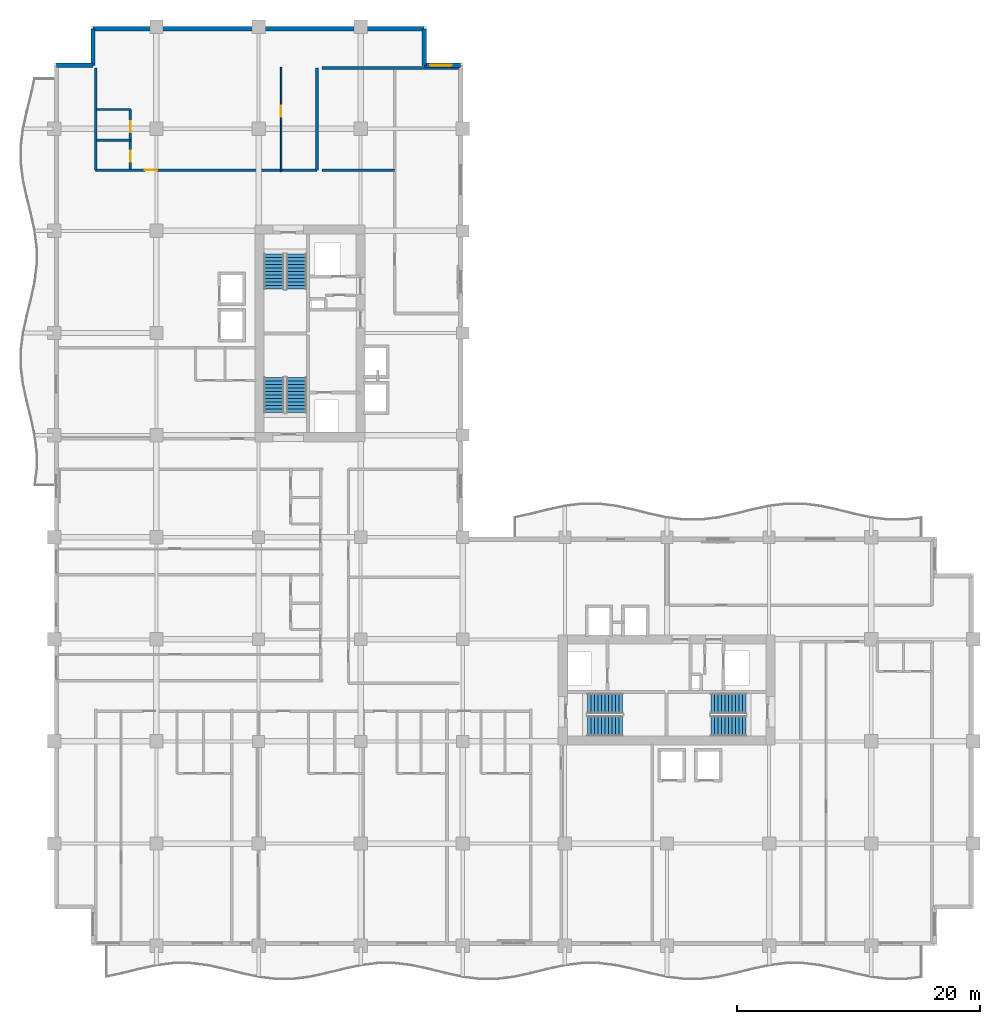
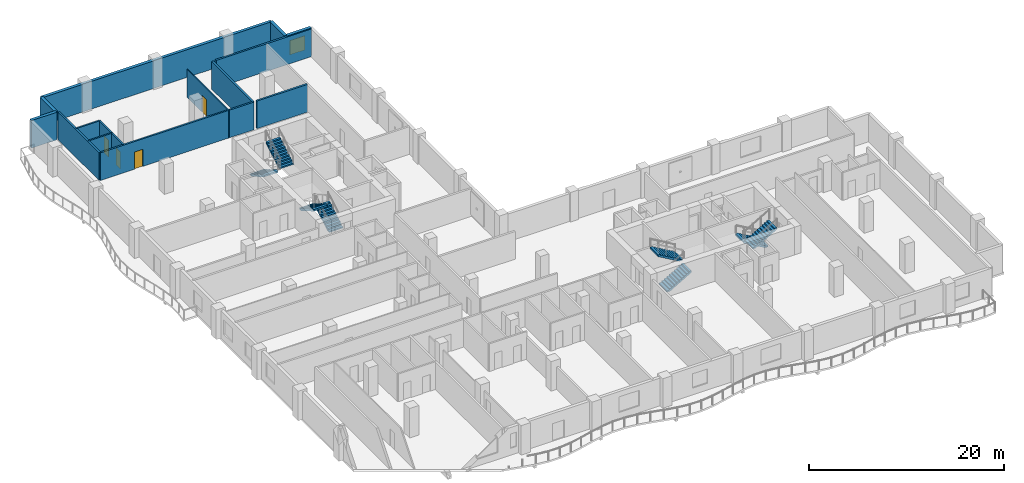
# One storey, part 10 of 16: 14 walls, 8 stair flights, 4 doors, 1 window, 5 openings, 4 elements without a shape of their own.
"""IFC4 building model written with IfcOpenShell, lengths in metres."""

from ifc_helpers import new_model, si_unit, direction, frame, frame_2d, origin, place, context, subcontext, project, spatial, polyline, rectangle, outline, extrude, material, layer, layer_set, type_object, element, fill, aggregate, save


model = new_model("IFC4")

# Units and contexts
model_context = context("Model", 3, precision=1e-05, world=origin(), true_north=direction((0.0, 1.0)))
body_context = subcontext(model_context, "Body", "Model", "MODEL_VIEW")
ifc_project = project(units=[si_unit("LENGTHUNIT", "METRE"), si_unit("AREAUNIT", "SQUARE_METRE"), si_unit("VOLUMEUNIT", "CUBIC_METRE"), si_unit("PLANEANGLEUNIT", "RADIAN"), si_unit("MASSUNIT", "GRAM", prefix="KILO")], contexts=[model_context])

# Site, building, storey
site_placement = place(None, origin())
site = spatial("IfcSite", under=ifc_project, at=site_placement, CompositionType="ELEMENT")
building_placement = place(site_placement, origin())
building = spatial("IfcBuilding", under=site, at=building_placement, Name="Koriwani Terraces Tower", CompositionType="ELEMENT")
storey_placement = place(building_placement, frame((0.0, 0.0, 186.5)))
storey = spatial("IfcBuildingStorey", under=building, at=storey_placement, Name="L45", CompositionType="ELEMENT", Elevation=186.5)

# Wall, opening, door
ifc_material_1 = material(Name="Autoclaved Cellular Concrete Blockwork", Category="masonry")
ifc_layer_1 = layer(ifc_material_1, 0.199951171875, Name="Autoclaved Cellular Concrete Blockwork")
ifc_layer_set_1 = layer_set([ifc_layer_1], Name="Autoclaved Cellular Concrete Blockwork")
wall_type_1 = type_object("IfcWallType", Name="WALL_CORRIDOR_200", PredefinedType="PARTITIONING", material=ifc_layer_set_1)
wall_1_placement = place(storey_placement, frame((3.39990234375, 63.800048828125, 0.0), z_axis=(0.0, 0.0, 1.0), x_axis=(1.0, 0.0, 0.0)))
wall_1 = element("IfcWall", 1, at=wall_1_placement, inside=storey, type_object=wall_type_1, Name="L45 Interior Wall WGB-L45-NWTIP-S", PredefinedType="PARTITIONING", context=body_context, shape_type="SweptSolid", body=[
    extrude(rectangle(XDim=18.2001953125, YDim=0.199951171875, at=frame_2d((9.10009765625, 0.0))), origin(), (0.0, 0.0, 1.0), 3.469970703125),
])
opening_1_placement = place(wall_1_placement, frame((4.050048828125, 0.0, 0.0)))
opening_1 = element("IfcOpeningElement", 2, at=opening_1_placement, cuts=wall_1, Name="Opening D-05", PredefinedType="OPENING", context=body_context, shape_type="SweptSolid", body=[
    extrude(rectangle(XDim=1.0, YDim=2.14990234375, at=frame_2d((0.5, 1.074951171875))), frame((0.0, 0.10986328125, 0.0), z_axis=(0.0, -1.0, 0.0), x_axis=(1.0, 0.0, 0.0)), (0.0, 0.0, 1.0), 0.219970703125),
])
ifc_material_2 = material(Name="Architectural Oak Fire Door", Category="wood")
door_type_1 = type_object("IfcDoorType", Name="DOOR_SUITE_ENTRY_1000X2150", OperationType="NOTDEFINED", PredefinedType="DOOR", material=ifc_material_2)
door_1_placement = place(opening_1_placement, origin())
door_1 = element("IfcDoor", 3, at=door_1_placement, inside=storey, type_object=door_type_1, Name="Grand Apartment 45NT Entrance Door", OperationType="SINGLE_SWING_LEFT", OverallHeight=2.14990234375, OverallWidth=1.0, PredefinedType="DOOR", context=body_context, shape_type="SweptSolid", body=[
    extrude(rectangle(XDim=1.0, YDim=2.14990234375, at=frame_2d((0.5, 1.074951171875))), frame((0.0, 0.02490234375, 0.0), z_axis=(0.0, -1.0, 0.0), x_axis=(1.0, 0.0, 0.0)), (0.0, 0.0, 1.0), 0.050048828125),
])
fill(opening_1, door_1)

# Walls
ifc_layer_2 = layer(ifc_material_1, 0.219970703125, Name="Autoclaved Cellular Concrete Blockwork")
ifc_layer_set_2 = layer_set([ifc_layer_2], Name="Autoclaved Cellular Concrete Blockwork")
wall_type_2 = type_object("IfcWallType", Name="WALL_DEMISING_220", PredefinedType="PARTITIONING", material=ifc_layer_set_2)
for number, where, z_axis, x_axis, name in (
    (4, (21.60009765625, 63.800048828125, 0.0), (0.0, 0.0, 1.0), (0.0, 1.0, 0.0), "L45 Interior Wall WGB-L45-NWTIP-E"),
    (5, (3.39990234375, 63.800048828125, 0.0), (0.0, 0.0, 1.0), (0.0, 1.0, 0.0), "L45 Interior Wall WGB-L45-NWTIP-W"),
):
    element("IfcWall", number, at=place(storey_placement, frame(where, z_axis=z_axis, x_axis=x_axis)), inside=storey, type_object=wall_type_2, Name=name, PredefinedType="PARTITIONING", context=body_context, shape_type="SweptSolid", body=[
        extrude(rectangle(XDim=8.39990234375, YDim=0.219970703125, at=frame_2d((4.199951171875, 0.0))), origin(), (0.0, 0.0, 1.0), 3.469970703125),
    ])
wall_2_placement = place(storey_placement, frame((22.0, 72.199951171875, 0.0), z_axis=(0.0, 0.0, 1.0), x_axis=(1.0, 0.0, 0.0)))
element("IfcWall", 6, at=wall_2_placement, inside=storey, type_object=wall_type_2, Name="L45 Interior Wall WNWT2-N-L45", PredefinedType="PARTITIONING", context=body_context, shape_type="SweptSolid", body=[
    extrude(rectangle(XDim=11.300048828125, YDim=0.219970703125, at=frame_2d((5.64990234375, 0.0))), origin(), (0.0, 0.0, 1.0), 3.469970703125),
])
wall_3_placement = place(storey_placement, frame((22.0, 63.800048828125, 0.0), z_axis=(0.0, 0.0, 1.0), x_axis=(1.0, 0.0, 0.0)))
element("IfcWall", 7, at=wall_3_placement, inside=storey, type_object=wall_type_2, Name="L45 Interior Wall WNWT2-WS-L45", PredefinedType="PARTITIONING", context=body_context, shape_type="SweptSolid", body=[
    extrude(rectangle(XDim=6.0, YDim=0.219970703125, at=frame_2d((3.0, 0.0))), origin(), (0.0, 0.0, 1.0), 3.469970703125),
])
ifc_material_3 = material(Name="Concrete C50/60", Category="concrete")
ifc_layer_3 = layer(ifc_material_3, 0.35009765625, Name="Concrete C50/60")
ifc_layer_set_3 = layer_set([ifc_layer_3], Name="Concrete C50/60")
wall_type_3 = type_object("IfcWallType", Name="WALL_EXT_BRUTALIST_350", PredefinedType="STANDARD", material=ifc_layer_set_3)
for number, where, z_axis, x_axis, name in (
    (8, (0.175048828125, 72.425048828125, 0.0), (0.0, 0.0, 1.0), (1.0, 0.0, 0.0), "L45 Fair-Faced Brutalist Exterior Wall (N3)"),
    (9, (3.175048828125, 72.425048828125, 0.0), (0.0, 0.0, 1.0), (0.0, 1.0, 0.0), "L45 Fair-Faced Brutalist Exterior Wall (N4)"),
):
    element("IfcWall", number, at=place(storey_placement, frame(where, z_axis=z_axis, x_axis=x_axis)), inside=storey, type_object=wall_type_3, Name=name, PredefinedType="STANDARD", context=body_context, shape_type="SweptSolid", body=[
        extrude(rectangle(XDim=3.0, YDim=0.35009765625, at=frame_2d((1.5, 0.0))), origin(), (0.0, 0.0, 1.0), 3.469970703125),
    ])
wall_4_placement = place(storey_placement, frame((3.175048828125, 75.425048828125, 0.0), z_axis=(0.0, 0.0, 1.0), x_axis=(1.0, 0.0, 0.0)))
element("IfcWall", 10, at=wall_4_placement, inside=storey, type_object=wall_type_3, Name="L45 Fair-Faced Brutalist Exterior Wall (N_TIP)", PredefinedType="STANDARD", context=body_context, shape_type="SweptSolid", body=[
    extrude(rectangle(XDim=27.25, YDim=0.35009765625, at=frame_2d((13.625, 0.0))), origin(), (0.0, 0.0, 1.0), 3.469970703125),
])
wall_5_placement = place(storey_placement, frame((30.425048828125, 75.425048828125, 0.0), z_axis=(0.0, 0.0, 1.0), x_axis=(0.0, -1.0, 0.0)))
element("IfcWall", 11, at=wall_5_placement, inside=storey, type_object=wall_type_3, Name="L45 Fair-Faced Brutalist Exterior Wall (N6)", PredefinedType="STANDARD", context=body_context, shape_type="SweptSolid", body=[
    extrude(rectangle(XDim=3.0, YDim=0.35009765625, at=frame_2d((1.5, 0.0))), origin(), (0.0, 0.0, 1.0), 3.469970703125),
])

# Wall, opening, window
wall_6_placement = place(storey_placement, frame((30.425048828125, 72.425048828125, 0.0), z_axis=(0.0, 0.0, 1.0), x_axis=(1.0, 0.0, 0.0)))
wall_6 = element("IfcWall", 12, at=wall_6_placement, inside=storey, type_object=wall_type_3, Name="L45 Fair-Faced Brutalist Exterior Wall (N7)", PredefinedType="STANDARD", context=body_context, shape_type="SweptSolid", body=[
    extrude(rectangle(XDim=3.0, YDim=0.35009765625, at=frame_2d((1.5, 0.0))), origin(), (0.0, 0.0, 1.0), 3.469970703125),
])
opening_2_placement = place(wall_6_placement, frame((0.487548828125, 0.0, 0.85009765625)))
opening_2 = element("IfcOpeningElement", 13, at=opening_2_placement, cuts=wall_6, Name="Opening W-04", PredefinedType="OPENING", context=body_context, shape_type="SweptSolid", body=[
    extrude(rectangle(XDim=1.800048828125, YDim=1.800048828125, at=frame_2d((0.89990234375, 0.89990234375))), frame((0.0, 0.18505859375, 0.0), z_axis=(0.0, -1.0, 0.0), x_axis=(1.0, 0.0, 0.0)), (0.0, 0.0, 1.0), 0.3701171875),
])
ifc_material_4 = material(Name="Tempered Laminated Low-E Glass", Category="glass")
window_type = type_object("IfcWindowType", Name="WIN_RES_BED_1800X1800", PartitioningType="DOUBLE_PANEL_VERTICAL", PredefinedType="WINDOW", material=ifc_material_4)
window_placement = place(opening_2_placement, origin())
window = element("IfcWindow", 14, at=window_placement, inside=storey, type_object=window_type, Name="L45 Exterior Window (N7-R57)", OverallHeight=1.800048828125, OverallWidth=1.800048828125, PartitioningType="SINGLE_PANEL", PredefinedType="WINDOW", context=body_context, shape_type="SweptSolid", body=[
    extrude(rectangle(XDim=1.800048828125, YDim=1.800048828125, at=frame_2d((0.89990234375, 0.89990234375))), frame((0.0, 0.030029296875, 0.0), z_axis=(0.0, -1.0, 0.0), x_axis=(1.0, 0.0, 0.0)), (0.0, 0.0, 1.0), 0.06005859375),
])
fill(opening_2, window)

# Wall, opening, door
ifc_material_5 = material(Name="Fire-Rated Acoustic Gypsum Partition", Category="masonry")
ifc_layer_4 = layer(ifc_material_5, 0.125, Name="Fire-Rated Acoustic Gypsum Partition")
ifc_layer_set_4 = layer_set([ifc_layer_4], Name="Fire-Rated Acoustic Gypsum Partition")
wall_type_4 = type_object("IfcWallType", Name="WALL_INT_125", PredefinedType="PARTITIONING", material=ifc_layer_set_4)
wall_7_placement = place(storey_placement, frame((18.64990234375, 63.64990234375, 0.0), z_axis=(0.0, 0.0, 1.0), x_axis=(0.0, 1.0, 0.0)))
wall_7 = element("IfcWall", 15, at=wall_7_placement, inside=storey, type_object=wall_type_4, Name="L45 Interior Wall WGB-L45-NWTIP-BD", PredefinedType="PARTITIONING", context=body_context, shape_type="SweptSolid", body=[
    extrude(rectangle(XDim=8.60009765625, YDim=0.125, at=frame_2d((4.300048828125, 0.0))), origin(), (0.0, 0.0, 1.0), 3.469970703125),
])
opening_3_placement = place(wall_7_placement, frame((4.530029296875, 0.0, 0.0)))
opening_3 = element("IfcOpeningElement", 16, at=opening_3_placement, cuts=wall_7, Name="Opening D-06", PredefinedType="OPENING", context=body_context, shape_type="SweptSolid", body=[
    extrude(rectangle(XDim=0.919921875, YDim=2.10009765625, at=frame_2d((0.4599609375, 1.050048828125))), frame((0.0, 0.072509765625, 0.0), z_axis=(0.0, -1.0, 0.0), x_axis=(1.0, 0.0, 0.0)), (0.0, 0.0, 1.0), 0.14501953125),
])
door_type_2 = type_object("IfcDoorType", Name="DOOR_ROOM_INT_920X2100", OperationType="NOTDEFINED", PredefinedType="DOOR", material=ifc_material_2)
door_2_placement = place(opening_3_placement, origin())
door_2 = element("IfcDoor", 17, at=door_2_placement, inside=storey, type_object=door_type_2, Name="Grand Apartment 45NT Master Suite Door", OperationType="SINGLE_SWING_RIGHT", OverallHeight=2.10009765625, OverallWidth=0.919921875, PredefinedType="DOOR", context=body_context, shape_type="SweptSolid", body=[
    extrude(rectangle(XDim=0.919921875, YDim=2.10009765625, at=frame_2d((0.4599609375, 1.050048828125))), frame((0.0, 0.02490234375, 0.0), z_axis=(0.0, -1.0, 0.0), x_axis=(1.0, 0.0, 0.0)), (0.0, 0.0, 1.0), 0.050048828125),
])
fill(opening_3, door_2)

# Wall, openings, doors
ifc_layer_5 = layer(ifc_material_5, 0.179931640625, Name="Fire-Rated Acoustic Gypsum Partition")
ifc_layer_set_5 = layer_set([ifc_layer_5], Name="Fire-Rated Acoustic Gypsum Partition")
wall_type_5 = type_object("IfcWallType", Name="WALL_PLUMBING_180", PredefinedType="PLUMBINGWALL", material=ifc_layer_set_5)
wall_8_placement = place(storey_placement, frame((6.25, 63.85009765625, 0.0), z_axis=(0.0, 0.0, 1.0), x_axis=(0.0, 1.0, 0.0)))
wall_8 = element("IfcWall", 18, at=wall_8_placement, inside=storey, type_object=wall_type_5, Name="L45 Interior Wall WGB-L45-NWTIP-SVB", PredefinedType="PLUMBINGWALL", context=body_context, shape_type="SweptSolid", body=[
    extrude(rectangle(XDim=4.949951171875, YDim=0.179931640625, at=frame_2d((2.47509765625, 0.0))), origin(), (0.0, 0.0, 1.0), 3.469970703125),
])
opening_4_placement = place(wall_8_placement, frame((0.64990234375, 0.0, 0.0)))
opening_4 = element("IfcOpeningElement", 19, at=opening_4_placement, cuts=wall_8, Name="Opening D-07", PredefinedType="OPENING", context=body_context, shape_type="SweptSolid", body=[
    extrude(rectangle(XDim=0.89990234375, YDim=2.10009765625, at=frame_2d((0.449951171875, 1.050048828125))), frame((0.0, 0.10009765625, 0.0), z_axis=(0.0, -1.0, 0.0), x_axis=(1.0, 0.0, 0.0)), (0.0, 0.0, 1.0), 0.199951171875),
])
opening_5_placement = place(wall_8_placement, frame((3.050048828125, 0.0, 0.0)))
opening_5 = element("IfcOpeningElement", 20, at=opening_5_placement, cuts=wall_8, Name="Opening D-06", PredefinedType="OPENING", context=body_context, shape_type="SweptSolid", body=[
    extrude(rectangle(XDim=0.919921875, YDim=2.10009765625, at=frame_2d((0.4599609375, 1.050048828125))), frame((0.0, 0.10009765625, 0.0), z_axis=(0.0, -1.0, 0.0), x_axis=(1.0, 0.0, 0.0)), (0.0, 0.0, 1.0), 0.199951171875),
])
door_type_3 = type_object("IfcDoorType", Name="DOOR_BATH_INT_900X2100", OperationType="NOTDEFINED", PredefinedType="DOOR", material=ifc_material_2)
door_3_placement = place(opening_4_placement, origin())
door_3 = element("IfcDoor", 21, at=door_3_placement, inside=storey, type_object=door_type_3, Name="Grand Apartment 45NT Bathroom Door", OperationType="SINGLE_SWING_RIGHT", OverallHeight=2.10009765625, OverallWidth=0.89990234375, PredefinedType="DOOR", context=body_context, shape_type="SweptSolid", body=[
    extrude(rectangle(XDim=0.89990234375, YDim=2.10009765625, at=frame_2d((0.449951171875, 1.050048828125))), frame((0.0, 0.02490234375, 0.0), z_axis=(0.0, -1.0, 0.0), x_axis=(1.0, 0.0, 0.0)), (0.0, 0.0, 1.0), 0.050048828125),
])
fill(opening_4, door_3)
door_4_placement = place(opening_5_placement, origin())
door_4 = element("IfcDoor", 22, at=door_4_placement, inside=storey, type_object=door_type_2, Name="Grand Apartment 45NT Kitchen Door", OperationType="SINGLE_SWING_LEFT", OverallHeight=2.10009765625, OverallWidth=0.919921875, PredefinedType="DOOR", context=body_context, shape_type="SweptSolid", body=[
    extrude(rectangle(XDim=0.919921875, YDim=2.10009765625, at=frame_2d((0.4599609375, 1.050048828125))), frame((0.0, 0.02490234375, 0.0), z_axis=(0.0, -1.0, 0.0), x_axis=(1.0, 0.0, 0.0)), (0.0, 0.0, 1.0), 0.050048828125),
])
fill(opening_5, door_4)

# Walls
for number, where, z_axis, x_axis, name in (
    (23, (3.449951171875, 66.25, 0.0), (0.0, 0.0, 1.0), (1.0, 0.0, 0.0), "L45 Interior Wall WGB-L45-NWTIP-SVM"),
    (24, (3.449951171875, 68.800048828125, 0.0), (0.0, 0.0, 1.0), (1.0, 0.0, 0.0), "L45 Interior Wall WGB-L45-NWTIP-SV2"),
):
    element("IfcWall", number, at=place(storey_placement, frame(where, z_axis=z_axis, x_axis=x_axis)), inside=storey, type_object=wall_type_5, Name=name, PredefinedType="PLUMBINGWALL", context=body_context, shape_type="SweptSolid", body=[
        extrude(rectangle(XDim=2.800048828125, YDim=0.179931640625, at=frame_2d((1.39990234375, 0.0))), origin(), (0.0, 0.0, 1.0), 3.469970703125),
    ])

# Stair, stair flights
ifc_material_6 = material(Name="Concrete C40/50", Category="concrete")
stair_type = type_object("IfcStairType", Name="STAIR_CORE_DOGLEG_1650", PredefinedType="TWO_STRAIGHT_RUN_STAIR", material=ifc_material_6)
stair_1_placement = place(storey_placement, origin())
stair_1 = element("IfcStair", 25, at=stair_1_placement, inside=storey, type_object=stair_type, Name="L45 West Core Exit Stair 1", PredefinedType="HALF_TURN_STAIR")
stair_flight_type = type_object("IfcStairFlightType", Name="STAIR_FLIGHT_RC_1650", PredefinedType="STRAIGHT", material=ifc_material_6)
stair_flight_1_placement = place(storey_placement, frame((19.925048828125, 43.85009765625, 0.0), z_axis=(0.0, 0.0, 1.0), x_axis=(0.0, 1.0, 0.0)))
stair_flight_1 = element("IfcStairFlight", 26, at=stair_flight_1_placement, type_object=stair_flight_type, Name="ST-W1 flight 1", NumberOfRisers=11, NumberOfTreads=10, PredefinedType="STRAIGHT", RiserHeight=0.168181818, TreadLength=0.29, context=body_context, shape_type="SweptSolid", body=[
    extrude(outline(polyline([(0.0, 0.0), (0.0, 0.168212890625), (0.2900390625, 0.168212890625), (0.2900390625, 0.33642578125), (0.580078125, 0.33642578125), (0.580078125, 0.504638671875), (0.8701171875, 0.504638671875), (0.8701171875, 0.672607421875), (1.159912109375, 0.672607421875), (1.159912109375, 0.8408203125), (1.449951171875, 0.8408203125), (1.449951171875, 1.009033203125), (1.739990234375, 1.009033203125), (1.739990234375, 1.17724609375), (2.030029296875, 1.17724609375), (2.030029296875, 1.345458984375), (2.320068359375, 1.345458984375), (2.320068359375, 1.513671875), (2.610107421875, 1.513671875), (2.610107421875, 1.681884765625), (2.89990234375, 1.681884765625), (2.89990234375, 1.85009765625), (2.89990234375, 1.473876953125), (0.358642578125, 0.0), (0.0, 0.0)])), frame((0.0, 0.824951171875, 0.0), z_axis=(0.0, -1.0, 0.0), x_axis=(1.0, 0.0, 0.0)), (0.0, 0.0, 1.0), 1.64990234375),
])
stair_flight_2_placement = place(storey_placement, frame((18.074951171875, 46.75, 1.85009765625), z_axis=(0.0, 0.0, 1.0), x_axis=(0.0, -1.0, 0.0)))
stair_flight_2 = element("IfcStairFlight", 27, at=stair_flight_2_placement, type_object=stair_flight_type, Name="ST-W1 flight 2", NumberOfRisers=11, NumberOfTreads=10, PredefinedType="STRAIGHT", RiserHeight=0.168181818, TreadLength=0.29, context=body_context, shape_type="SweptSolid", body=[
    extrude(outline(polyline([(0.0, 0.0), (0.0, 0.168212890625), (0.2900390625, 0.168212890625), (0.2900390625, 0.33642578125), (0.580078125, 0.33642578125), (0.580078125, 0.504638671875), (0.8701171875, 0.504638671875), (0.8701171875, 0.672607421875), (1.159912109375, 0.672607421875), (1.159912109375, 0.8408203125), (1.449951171875, 0.8408203125), (1.449951171875, 1.009033203125), (1.739990234375, 1.009033203125), (1.739990234375, 1.17724609375), (2.030029296875, 1.17724609375), (2.030029296875, 1.345458984375), (2.320068359375, 1.345458984375), (2.320068359375, 1.513671875), (2.610107421875, 1.513671875), (2.610107421875, 1.681884765625), (2.89990234375, 1.681884765625), (2.89990234375, 1.85009765625), (2.89990234375, 1.473876953125), (0.358642578125, 0.0), (0.0, 0.0)])), frame((0.0, 0.824951171875, 0.0), z_axis=(0.0, -1.0, 0.0), x_axis=(1.0, 0.0, 0.0)), (0.0, 0.0, 1.0), 1.64990234375),
])
aggregate(stair_1, [stair_flight_1, stair_flight_2])

stair_2_placement = place(storey_placement, origin())
stair_2 = element("IfcStair", 28, at=stair_2_placement, inside=storey, type_object=stair_type, Name="L45 West Core Exit Stair 2", PredefinedType="HALF_TURN_STAIR")
stair_flight_3_placement = place(storey_placement, frame((18.074951171875, 56.89990234375, 0.0), z_axis=(0.0, 0.0, 1.0), x_axis=(0.0, -1.0, 0.0)))
stair_flight_3 = element("IfcStairFlight", 29, at=stair_flight_3_placement, type_object=stair_flight_type, Name="ST-W2 flight 1", NumberOfRisers=11, NumberOfTreads=10, PredefinedType="STRAIGHT", RiserHeight=0.168181818, TreadLength=0.29, context=body_context, shape_type="SweptSolid", body=[
    extrude(outline(polyline([(0.0, 0.0), (0.0, 0.168212890625), (0.2900390625, 0.168212890625), (0.2900390625, 0.33642578125), (0.580078125, 0.33642578125), (0.580078125, 0.504638671875), (0.8701171875, 0.504638671875), (0.8701171875, 0.672607421875), (1.159912109375, 0.672607421875), (1.159912109375, 0.8408203125), (1.449951171875, 0.8408203125), (1.449951171875, 1.009033203125), (1.739990234375, 1.009033203125), (1.739990234375, 1.17724609375), (2.030029296875, 1.17724609375), (2.030029296875, 1.345458984375), (2.320068359375, 1.345458984375), (2.320068359375, 1.513671875), (2.610107421875, 1.513671875), (2.610107421875, 1.681884765625), (2.89990234375, 1.681884765625), (2.89990234375, 1.85009765625), (2.89990234375, 1.473876953125), (0.358642578125, 0.0), (0.0, 0.0)])), frame((0.0, 0.824951171875, 0.0), z_axis=(0.0, -1.0, 0.0), x_axis=(1.0, 0.0, 0.0)), (0.0, 0.0, 1.0), 1.64990234375),
])
stair_flight_4_placement = place(storey_placement, frame((19.925048828125, 54.0, 1.85009765625), z_axis=(0.0, 0.0, 1.0), x_axis=(0.0, 1.0, 0.0)))
stair_flight_4 = element("IfcStairFlight", 30, at=stair_flight_4_placement, type_object=stair_flight_type, Name="ST-W2 flight 2", NumberOfRisers=11, NumberOfTreads=10, PredefinedType="STRAIGHT", RiserHeight=0.168181818, TreadLength=0.29, context=body_context, shape_type="SweptSolid", body=[
    extrude(outline(polyline([(0.0, 0.0), (0.0, 0.168212890625), (0.2900390625, 0.168212890625), (0.2900390625, 0.33642578125), (0.580078125, 0.33642578125), (0.580078125, 0.504638671875), (0.8701171875, 0.504638671875), (0.8701171875, 0.672607421875), (1.159912109375, 0.672607421875), (1.159912109375, 0.8408203125), (1.449951171875, 0.8408203125), (1.449951171875, 1.009033203125), (1.739990234375, 1.009033203125), (1.739990234375, 1.17724609375), (2.030029296875, 1.17724609375), (2.030029296875, 1.345458984375), (2.320068359375, 1.345458984375), (2.320068359375, 1.513671875), (2.610107421875, 1.513671875), (2.610107421875, 1.681884765625), (2.89990234375, 1.681884765625), (2.89990234375, 1.85009765625), (2.89990234375, 1.473876953125), (0.358642578125, 0.0), (0.0, 0.0)])), frame((0.0, 0.824951171875, 0.0), z_axis=(0.0, -1.0, 0.0), x_axis=(1.0, 0.0, 0.0)), (0.0, 0.0, 1.0), 1.64990234375),
])
aggregate(stair_2, [stair_flight_3, stair_flight_4])

stair_3_placement = place(storey_placement, origin())
stair_3 = element("IfcStair", 31, at=stair_3_placement, inside=storey, type_object=stair_type, Name="L45 East Core Exit Stair 1", PredefinedType="HALF_TURN_STAIR")
stair_flight_5_placement = place(storey_placement, frame((43.85009765625, 18.074951171875, 0.0), z_axis=(0.0, 0.0, 1.0), x_axis=(1.0, 0.0, 0.0)))
stair_flight_5 = element("IfcStairFlight", 32, at=stair_flight_5_placement, type_object=stair_flight_type, Name="ST-E1 flight 1", NumberOfRisers=11, NumberOfTreads=10, PredefinedType="STRAIGHT", RiserHeight=0.168181818, TreadLength=0.29, context=body_context, shape_type="SweptSolid", body=[
    extrude(outline(polyline([(0.0, 0.0), (0.0, 0.168212890625), (0.2900390625, 0.168212890625), (0.2900390625, 0.33642578125), (0.580078125, 0.33642578125), (0.580078125, 0.504638671875), (0.8701171875, 0.504638671875), (0.8701171875, 0.672607421875), (1.159912109375, 0.672607421875), (1.159912109375, 0.8408203125), (1.449951171875, 0.8408203125), (1.449951171875, 1.009033203125), (1.739990234375, 1.009033203125), (1.739990234375, 1.17724609375), (2.030029296875, 1.17724609375), (2.030029296875, 1.345458984375), (2.320068359375, 1.345458984375), (2.320068359375, 1.513671875), (2.610107421875, 1.513671875), (2.610107421875, 1.681884765625), (2.89990234375, 1.681884765625), (2.89990234375, 1.85009765625), (2.89990234375, 1.473876953125), (0.358642578125, 0.0), (0.0, 0.0)])), frame((0.0, 0.824951171875, 0.0), z_axis=(0.0, -1.0, 0.0), x_axis=(1.0, 0.0, 0.0)), (0.0, 0.0, 1.0), 1.64990234375),
])
stair_flight_6_placement = place(storey_placement, frame((46.75, 19.925048828125, 1.85009765625), z_axis=(0.0, 0.0, 1.0), x_axis=(-1.0, 0.0, 0.0)))
stair_flight_6 = element("IfcStairFlight", 33, at=stair_flight_6_placement, type_object=stair_flight_type, Name="ST-E1 flight 2", NumberOfRisers=11, NumberOfTreads=10, PredefinedType="STRAIGHT", RiserHeight=0.168181818, TreadLength=0.29, context=body_context, shape_type="SweptSolid", body=[
    extrude(outline(polyline([(0.0, 0.0), (0.0, 0.168212890625), (0.2900390625, 0.168212890625), (0.2900390625, 0.33642578125), (0.580078125, 0.33642578125), (0.580078125, 0.504638671875), (0.8701171875, 0.504638671875), (0.8701171875, 0.672607421875), (1.159912109375, 0.672607421875), (1.159912109375, 0.8408203125), (1.449951171875, 0.8408203125), (1.449951171875, 1.009033203125), (1.739990234375, 1.009033203125), (1.739990234375, 1.17724609375), (2.030029296875, 1.17724609375), (2.030029296875, 1.345458984375), (2.320068359375, 1.345458984375), (2.320068359375, 1.513671875), (2.610107421875, 1.513671875), (2.610107421875, 1.681884765625), (2.89990234375, 1.681884765625), (2.89990234375, 1.85009765625), (2.89990234375, 1.473876953125), (0.358642578125, 0.0), (0.0, 0.0)])), frame((0.0, 0.824951171875, 0.0), z_axis=(0.0, -1.0, 0.0), x_axis=(1.0, 0.0, 0.0)), (0.0, 0.0, 1.0), 1.64990234375),
])
aggregate(stair_3, [stair_flight_5, stair_flight_6])

stair_4_placement = place(storey_placement, origin())
stair_4 = element("IfcStair", 34, at=stair_4_placement, inside=storey, type_object=stair_type, Name="L45 East Core Exit Stair 2", PredefinedType="HALF_TURN_STAIR")
stair_flight_7_placement = place(storey_placement, frame((56.89990234375, 19.925048828125, 0.0), z_axis=(0.0, 0.0, 1.0), x_axis=(-1.0, 0.0, 0.0)))
stair_flight_7 = element("IfcStairFlight", 35, at=stair_flight_7_placement, type_object=stair_flight_type, Name="ST-E2 flight 1", NumberOfRisers=11, NumberOfTreads=10, PredefinedType="STRAIGHT", RiserHeight=0.168181818, TreadLength=0.29, context=body_context, shape_type="SweptSolid", body=[
    extrude(outline(polyline([(0.0, 0.0), (0.0, 0.168212890625), (0.2900390625, 0.168212890625), (0.2900390625, 0.33642578125), (0.580078125, 0.33642578125), (0.580078125, 0.504638671875), (0.8701171875, 0.504638671875), (0.8701171875, 0.672607421875), (1.159912109375, 0.672607421875), (1.159912109375, 0.8408203125), (1.449951171875, 0.8408203125), (1.449951171875, 1.009033203125), (1.739990234375, 1.009033203125), (1.739990234375, 1.17724609375), (2.030029296875, 1.17724609375), (2.030029296875, 1.345458984375), (2.320068359375, 1.345458984375), (2.320068359375, 1.513671875), (2.610107421875, 1.513671875), (2.610107421875, 1.681884765625), (2.89990234375, 1.681884765625), (2.89990234375, 1.85009765625), (2.89990234375, 1.473876953125), (0.358642578125, 0.0), (0.0, 0.0)])), frame((0.0, 0.824951171875, 0.0), z_axis=(0.0, -1.0, 0.0), x_axis=(1.0, 0.0, 0.0)), (0.0, 0.0, 1.0), 1.64990234375),
])
stair_flight_8_placement = place(storey_placement, frame((54.0, 18.074951171875, 1.85009765625), z_axis=(0.0, 0.0, 1.0), x_axis=(1.0, 0.0, 0.0)))
stair_flight_8 = element("IfcStairFlight", 36, at=stair_flight_8_placement, type_object=stair_flight_type, Name="ST-E2 flight 2", NumberOfRisers=11, NumberOfTreads=10, PredefinedType="STRAIGHT", RiserHeight=0.168181818, TreadLength=0.29, context=body_context, shape_type="SweptSolid", body=[
    extrude(outline(polyline([(0.0, 0.0), (0.0, 0.168212890625), (0.2900390625, 0.168212890625), (0.2900390625, 0.33642578125), (0.580078125, 0.33642578125), (0.580078125, 0.504638671875), (0.8701171875, 0.504638671875), (0.8701171875, 0.672607421875), (1.159912109375, 0.672607421875), (1.159912109375, 0.8408203125), (1.449951171875, 0.8408203125), (1.449951171875, 1.009033203125), (1.739990234375, 1.009033203125), (1.739990234375, 1.17724609375), (2.030029296875, 1.17724609375), (2.030029296875, 1.345458984375), (2.320068359375, 1.345458984375), (2.320068359375, 1.513671875), (2.610107421875, 1.513671875), (2.610107421875, 1.681884765625), (2.89990234375, 1.681884765625), (2.89990234375, 1.85009765625), (2.89990234375, 1.473876953125), (0.358642578125, 0.0), (0.0, 0.0)])), frame((0.0, 0.824951171875, 0.0), z_axis=(0.0, -1.0, 0.0), x_axis=(1.0, 0.0, 0.0)), (0.0, 0.0, 1.0), 1.64990234375),
])
aggregate(stair_4, [stair_flight_7, stair_flight_8])

save(model, "model.ifc")
